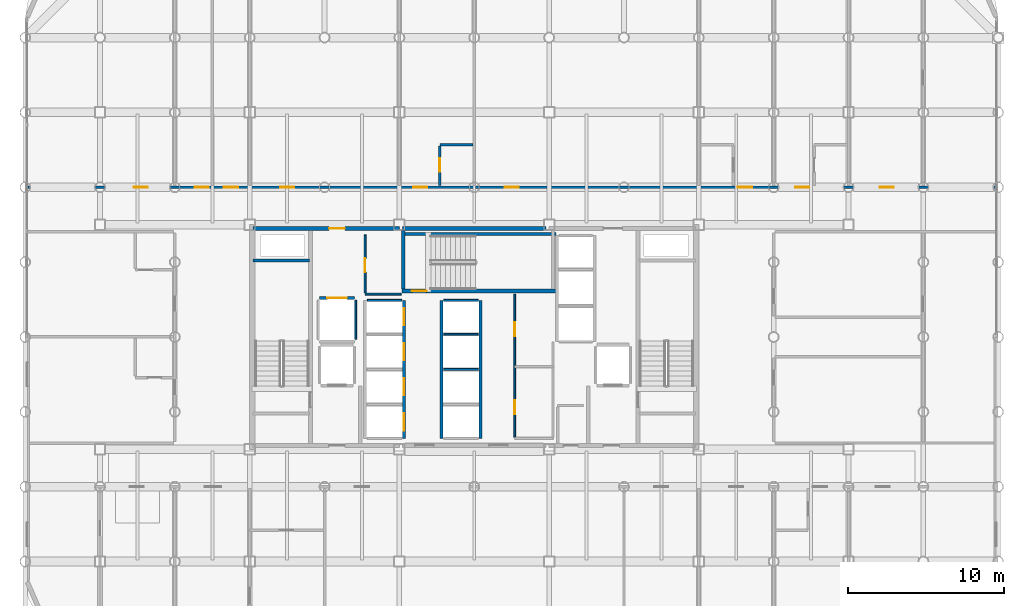
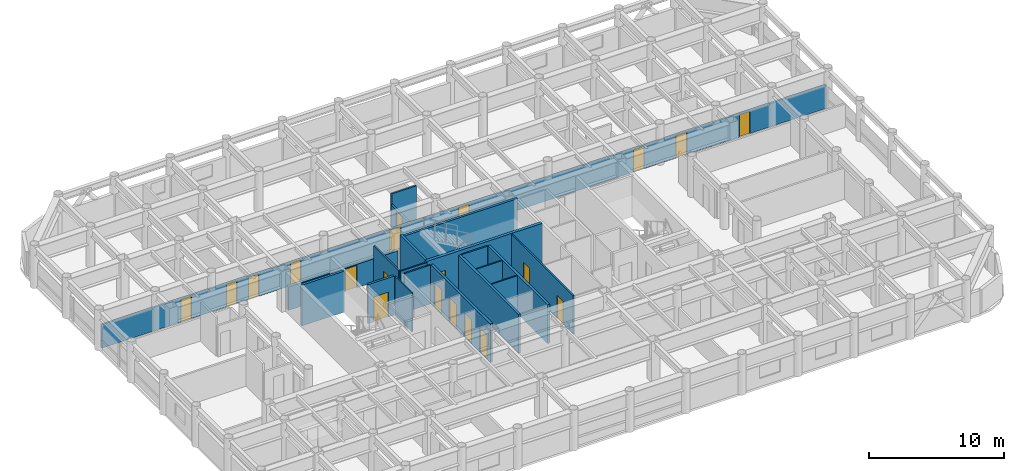
# One storey, part 18 of 22: 21 walls, 20 doors, 20 openings.
"""IFC4 building model written with IfcOpenShell, lengths in metres."""

import ifcopenshell
import ifcopenshell.guid

model = None  # the IFC model being written
_history = None  # IfcOwnerHistory: only IFC2X3 demands one
_inside = {}  # id of a spatial element -> (the spatial element, [elements in it])
_under = {}  # id of a project, library or spatial element -> (it, [spatial elements below it])
_declared = {}  # id of a project -> (the project, [libraries it declares])
_typed = {}  # id of a type object -> (the type object, [elements of that type])
_made_of = {}  # id of a material, layer set ... -> (it, [elements and type objects made of it])


def new_model(schema):
    """Start an empty IFC model of exactly this schema.

    Asked for "IFC4X3", IfcOpenShell would pick the latest addendum, in which some entities
    have other attributes; the version numbers below select the first issue.
    IFC2X3 requires an IfcOwnerHistory on every rooted entity: one is made here for all.
    """
    global model, _history
    if schema == "IFC4X3":
        model = ifcopenshell.file(schema_version=(4, 3, 0, 0))
    else:
        model = ifcopenshell.file(schema=schema)
    _inside.clear()
    _under.clear()
    _declared.clear()
    _typed.clear()
    _made_of.clear()
    _history = None
    if model.schema == "IFC2X3":
        org = make("IfcOrganization", Name="unknown")
        user = make(
            "IfcPersonAndOrganization",
            ThePerson=make("IfcPerson", FamilyName="unknown"),
            TheOrganization=org,
        )
        app = make(
            "IfcApplication",
            ApplicationDeveloper=org,
            Version="unknown",
            ApplicationFullName="unknown",
            ApplicationIdentifier="unknown",
        )
        _history = make(
            "IfcOwnerHistory",
            OwningUser=user,
            OwningApplication=app,
            ChangeAction="ADDED",
            CreationDate=0,
        )
    return model


def make(cls, **values):
    """One entity of the class cls with the attributes given. An attribute that is None is left unset."""
    return model.create_entity(
        cls, **{name: value for name, value in values.items() if value is not None}
    )


def rooted(cls, **values):
    """An entity with a GlobalId (a new one), such as an element, a storey or a relation."""
    return make(cls, GlobalId=ifcopenshell.guid.new(), OwnerHistory=_history, **values)


def si_unit(unit_type, name, prefix=None):
    """IfcSIUnit, for example si_unit("LENGTHUNIT", "METRE", prefix="MILLI")."""
    return make("IfcSIUnit", UnitType=unit_type, Prefix=prefix, Name=name)


def assignment(units):
    """IfcUnitAssignment: the units of a project."""
    return None if units is None else make("IfcUnitAssignment", Units=units)


def point(xyz):
    """IfcCartesianPoint."""
    return None if xyz is None else make("IfcCartesianPoint", Coordinates=xyz)


def direction(xyz):
    """IfcDirection."""
    return None if xyz is None else make("IfcDirection", DirectionRatios=xyz)


def frame(location, z_axis=None, x_axis=None):
    """IfcAxis2Placement3D, a coordinate frame: its origin and axes. An axis left out is left unset."""
    return make(
        "IfcAxis2Placement3D",
        Location=point(location),
        Axis=direction(z_axis),
        RefDirection=direction(x_axis),
    )


def frame_2d(location, x_axis=None):
    """IfcAxis2Placement2D, a coordinate frame in the plane: its origin and x axis."""
    return make(
        "IfcAxis2Placement2D", Location=point(location), RefDirection=direction(x_axis)
    )


def origin():
    """The frame at (0, 0, 0) with its axes left unset."""
    return frame((0.0, 0.0, 0.0))


def place(relative_to, where):
    """IfcLocalPlacement: puts the frame where relative to a parent placement (None: the world)."""
    return make(
        "IfcLocalPlacement", PlacementRelTo=relative_to, RelativePlacement=where
    )


def context(
    kind, dimensions, precision=None, world=None, true_north=None, identifier=None
):
    """IfcGeometricRepresentationContext, for example the 3D "Model" context."""
    return make(
        "IfcGeometricRepresentationContext",
        ContextIdentifier=identifier,
        ContextType=kind,
        CoordinateSpaceDimension=dimensions,
        Precision=precision,
        WorldCoordinateSystem=world,
        TrueNorth=true_north,
    )


def subcontext(parent, identifier, kind, view, scale=None):
    """IfcGeometricRepresentationSubContext, for example "Body" below "Model"."""
    return make(
        "IfcGeometricRepresentationSubContext",
        ContextIdentifier=identifier,
        ContextType=kind,
        ParentContext=parent,
        TargetScale=scale,
        TargetView=view,
    )


def project(units=None, contexts=None):
    """IfcProject with its units and contexts."""
    return rooted(
        "IfcProject",
        Name="project",
        RepresentationContexts=contexts,
        UnitsInContext=assignment(units),
    )


def spatial(cls, under=None, at=None, **own):
    """A site, building, storey or space (cls), placed at a placement, below another one or the project."""
    s = rooted(cls, ObjectPlacement=at, **own)
    if under is not None:
        _under.setdefault(under.id(), (under, []))[1].append(s)
    return s


def profile(cls, at=None, kind="AREA", **sizes):
    """A parametric profile (cls). Its sizes go by their IFC names, for example OverallWidth=200.0."""
    return make(cls, ProfileType=kind, Position=at, **sizes)


def rectangle(**sizes):
    """IfcRectangleProfileDef."""
    return profile("IfcRectangleProfileDef", **sizes)


def extrude(swept, where, along, depth):
    """IfcExtrudedAreaSolid: the profile swept, set in the frame where, extruded along a direction by depth."""
    return make(
        "IfcExtrudedAreaSolid",
        SweptArea=swept,
        Position=where,
        ExtrudedDirection=direction(along),
        Depth=depth,
    )


def shape(context_of_items, identifier, shape_type, items):
    """IfcShapeRepresentation: the items that make up one representation, for example the "Body"."""
    return make(
        "IfcShapeRepresentation",
        ContextOfItems=context_of_items,
        RepresentationIdentifier=identifier,
        RepresentationType=shape_type,
        Items=items,
    )


def material(Name=None, Category=None):
    """IfcMaterial."""
    return make("IfcMaterial", Name=Name, Category=Category)


def layer(
    of_material, thickness, ventilated=None, Name=None, Category=None, Priority=None
):
    """IfcMaterialLayer: one layer of a wall or slab, of a material (None: an air gap)."""
    return make(
        "IfcMaterialLayer",
        Material=of_material,
        LayerThickness=thickness,
        IsVentilated=ventilated,
        Name=Name,
        Category=Category,
        Priority=Priority,
    )


def layer_set(layers, Name=None):
    """IfcMaterialLayerSet."""
    return make("IfcMaterialLayerSet", MaterialLayers=layers, LayerSetName=Name)


def made_of(thing, what):
    """Note that an element or type object is made of a material, layer set ...; save() writes the relation."""
    if what is not None:
        _made_of.setdefault(what.id(), (what, []))[1].append(thing)
    return thing


def type_object(cls, material=None, **own):
    """A type object (cls), such as IfcWallType, which elements share."""
    return made_of(rooted(cls, **own), material)


def element(
    cls,
    number,
    at=None,
    inside=None,
    cuts=None,
    type_object=None,
    material=None,
    context=None,
    identifier="Body",
    shape_type=None,
    held_by="IfcProductDefinitionShape",
    body=None,
    shapes=None,
    **own,
):
    """One element of the class cls, such as IfcWall. Its Tag is "e" and its number.

    at: its placement. inside: the storey or other place that contains it. cuts: it is an
    opening in that element (IfcRelVoidsElement). A single representation is given by context,
    identifier, shape_type and body (its items); several are given by shapes. held_by: the class
    of the entity that holds the representations. save() writes the other relations.
    """
    e = rooted(cls, Tag="e%d" % number, ObjectPlacement=at, **own)
    if body is not None:
        shapes = [shape(context, identifier, shape_type, body)]
    if shapes is not None:
        e.Representation = make(held_by, Representations=shapes)
    if inside is not None:
        _inside.setdefault(inside.id(), (inside, []))[1].append(e)
    if cuts is not None:
        rooted(
            "IfcRelVoidsElement", RelatingBuildingElement=cuts, RelatedOpeningElement=e
        )
    if type_object is not None:
        _typed.setdefault(type_object.id(), (type_object, []))[1].append(e)
    return made_of(e, material)


def fill(opening, filler):
    """IfcRelFillsElement: the door or window that sits in an opening."""
    return rooted(
        "IfcRelFillsElement",
        RelatingOpeningElement=opening,
        RelatedBuildingElement=filler,
    )


def aggregate(whole, parts):
    """IfcRelAggregates: a whole, such as a stair, and the parts it consists of."""
    return rooted("IfcRelAggregates", RelatingObject=whole, RelatedObjects=parts)


def save(model, path):
    """Write the relations noted so far, then the file.

    IfcRelAggregates (storeys below a building ...), IfcRelContainedInSpatialStructure (elements
    in a storey), IfcRelDefinesByType, IfcRelAssociatesMaterial and IfcRelDeclares: one each for
    every whole, place, type object, material and project.
    """
    for whole, parts in _under.values():
        aggregate(whole, parts)
    for where, things in _inside.values():
        rooted(
            "IfcRelContainedInSpatialStructure",
            RelatedElements=things,
            RelatingStructure=where,
        )
    for kind, things in _typed.values():
        rooted("IfcRelDefinesByType", RelatedObjects=things, RelatingType=kind)
    for what, things in _made_of.values():
        rooted("IfcRelAssociatesMaterial", RelatedObjects=things, RelatingMaterial=what)
    for by, libraries in _declared.values():
        rooted("IfcRelDeclares", RelatingContext=by, RelatedDefinitions=libraries)
    model.write(path)


model = new_model("IFC4")

# Units and contexts
model_context = context("Model", 3, precision=1e-05, world=origin(), true_north=direction((0.0, 1.0)))
body_context = subcontext(model_context, "Body", "Model", "MODEL_VIEW")
ifc_project = project(units=[si_unit("LENGTHUNIT", "METRE"), si_unit("AREAUNIT", "SQUARE_METRE"), si_unit("VOLUMEUNIT", "CUBIC_METRE"), si_unit("PLANEANGLEUNIT", "RADIAN"), si_unit("MASSUNIT", "GRAM", prefix="KILO")], contexts=[model_context])

# Site, building, storey
site_placement = place(None, origin())
site = spatial("IfcSite", under=ifc_project, at=site_placement, CompositionType="ELEMENT")
building_placement = place(site_placement, origin())
building = spatial("IfcBuilding", under=site, at=building_placement, Name="Kallvorn Hotel Tower", CompositionType="ELEMENT")
storey_placement = place(building_placement, frame((0.0, 0.0, 95.199951171875)))
storey = spatial("IfcBuildingStorey", under=building, at=storey_placement, Name="L22", CompositionType="ELEMENT", Elevation=95.199951171875)

# Wall, openings, doors
ifc_material_1 = material(Name="Fire-rated double-layer acoustic gypsum drywall EI 60")
ifc_layer_1 = layer(ifc_material_1, 0.159912109375)
ifc_layer_set_1 = layer_set([ifc_layer_1], Name="WL_DEMISE_160")
wall_type_1 = type_object("IfcWallType", Name="WL_DEMISE_160", PredefinedType="PARTITIONING", material=ifc_layer_set_1)
wall_1_placement = place(storey_placement, frame((-28.6298828125, 9.60009765625, 0.0), z_axis=(0.0, 0.0, 1.0), x_axis=(1.0, 0.0, 0.0)))
wall_1 = element("IfcWall", 1, at=wall_1_placement, inside=storey, type_object=wall_type_1, Name="L22 Suite 2205 Standard King Room Partition", PredefinedType="PARTITIONING", context=body_context, shape_type="SweptSolid", body=[
    extrude(rectangle(XDim=62.059814453125, YDim=0.159912109375, at=frame_2d((31.02978515625, 0.0))), origin(), (0.0, 0.0, 1.0), 2.1201171875),
])
opening_1_placement = place(wall_1_placement, frame((6.799560546875, 0.0, 0.0)))
opening_1 = element("IfcOpeningElement", 2, at=opening_1_placement, cuts=wall_1, Name="Opening SVD1A", PredefinedType="OPENING", context=body_context, shape_type="SweptSolid", body=[
    extrude(rectangle(XDim=0.89990234375, YDim=2.02001953125, at=frame_2d((0.449951171875, 1.010009765625))), frame((0.0, 0.094970703125, 0.0), z_axis=(0.0, -1.0, 0.0), x_axis=(1.0, 0.0, 0.0)), (0.0, 0.0, 1.0), 0.18994140625),
])
opening_2_placement = place(wall_1_placement, frame((54.6201171875, 0.0, 0.0)))
opening_2 = element("IfcOpeningElement", 3, at=opening_2_placement, cuts=wall_1, Name="Opening SVD1A", PredefinedType="OPENING", context=body_context, shape_type="SweptSolid", body=[
    extrude(rectangle(XDim=0.89990234375, YDim=2.02001953125, at=frame_2d((0.449951171875, 1.010009765625))), frame((0.0, 0.094970703125, 0.0), z_axis=(0.0, -1.0, 0.0), x_axis=(1.0, 0.0, 0.0)), (0.0, 0.0, 1.0), 0.18994140625),
])
opening_3_placement = place(wall_1_placement, frame((10.68994140625, 0.0, 0.0)))
opening_3 = element("IfcOpeningElement", 4, at=opening_3_placement, cuts=wall_1, Name="Opening SVD1A", PredefinedType="OPENING", context=body_context, shape_type="SweptSolid", body=[
    extrude(rectangle(XDim=0.89990234375, YDim=2.02001953125, at=frame_2d((0.449951171875, 1.010009765625))), frame((0.0, 0.094970703125, 0.0), z_axis=(0.0, -1.0, 0.0), x_axis=(1.0, 0.0, 0.0)), (0.0, 0.0, 1.0), 0.18994140625),
])
opening_4_placement = place(wall_1_placement, frame((12.580078125, 0.0, 0.0)))
opening_4 = element("IfcOpeningElement", 5, at=opening_4_placement, cuts=wall_1, Name="Opening SVD1A", PredefinedType="OPENING", context=body_context, shape_type="SweptSolid", body=[
    extrude(rectangle(XDim=0.89990234375, YDim=2.02001953125, at=frame_2d((0.449951171875, 1.010009765625))), frame((0.0, 0.094970703125, 0.0), z_axis=(0.0, -1.0, 0.0), x_axis=(1.0, 0.0, 0.0)), (0.0, 0.0, 1.0), 0.18994140625),
])
opening_5_placement = place(wall_1_placement, frame((16.179931640625, 0.0, 0.0)))
opening_5 = element("IfcOpeningElement", 6, at=opening_5_placement, cuts=wall_1, Name="Opening SVD1A", PredefinedType="OPENING", context=body_context, shape_type="SweptSolid", body=[
    extrude(rectangle(XDim=0.89990234375, YDim=2.02001953125, at=frame_2d((0.449951171875, 1.010009765625))), frame((0.0, 0.094970703125, 0.0), z_axis=(0.0, -1.0, 0.0), x_axis=(1.0, 0.0, 0.0)), (0.0, 0.0, 1.0), 0.18994140625),
])
opening_6_placement = place(wall_1_placement, frame((24.705078125, 0.0, 0.0)))
opening_6 = element("IfcOpeningElement", 7, at=opening_6_placement, cuts=wall_1, Name="Opening GD1A", PredefinedType="OPENING", context=body_context, shape_type="SweptSolid", body=[
    extrude(rectangle(XDim=0.919921875, YDim=2.02001953125, at=frame_2d((0.4599609375, 1.010009765625))), frame((0.0, 0.094970703125, 0.0), z_axis=(0.0, -1.0, 0.0), x_axis=(1.0, 0.0, 0.0)), (0.0, 0.0, 1.0), 0.18994140625),
])
opening_7_placement = place(wall_1_placement, frame((30.580078125, 0.0, 0.0)))
opening_7 = element("IfcOpeningElement", 8, at=opening_7_placement, cuts=wall_1, Name="Opening SVD1A", PredefinedType="OPENING", context=body_context, shape_type="SweptSolid", body=[
    extrude(rectangle(XDim=0.89990234375, YDim=2.02001953125, at=frame_2d((0.449951171875, 1.010009765625))), frame((0.0, 0.094970703125, 0.0), z_axis=(0.0, -1.0, 0.0), x_axis=(1.0, 0.0, 0.0)), (0.0, 0.0, 1.0), 0.18994140625),
])
opening_8_placement = place(wall_1_placement, frame((45.5400390625, 0.0, 0.0)))
opening_8 = element("IfcOpeningElement", 9, at=opening_8_placement, cuts=wall_1, Name="Opening GD1A", PredefinedType="OPENING", context=body_context, shape_type="SweptSolid", body=[
    extrude(rectangle(XDim=0.919921875, YDim=2.02001953125, at=frame_2d((0.4599609375, 1.010009765625))), frame((0.0, 0.094970703125, 0.0), z_axis=(0.0, -1.0, 0.0), x_axis=(1.0, 0.0, 0.0)), (0.0, 0.0, 1.0), 0.18994140625),
])
opening_9_placement = place(wall_1_placement, frame((49.199951171875, 0.0, 0.0)))
opening_9 = element("IfcOpeningElement", 10, at=opening_9_placement, cuts=wall_1, Name="Opening GD1A", PredefinedType="OPENING", context=body_context, shape_type="SweptSolid", body=[
    extrude(rectangle(XDim=0.919921875, YDim=2.02001953125, at=frame_2d((0.4599609375, 1.010009765625))), frame((0.0, 0.094970703125, 0.0), z_axis=(0.0, -1.0, 0.0), x_axis=(1.0, 0.0, 0.0)), (0.0, 0.0, 1.0), 0.18994140625),
])
ifc_material_2 = material(Name="Solid-core walnut veneer fire-rated timber door leaf", Category="wood")
door_type_1 = type_object("IfcDoorType", Name="DR_GUEST_920x2020", OperationType="NOTDEFINED", PredefinedType="DOOR", material=ifc_material_2)
door_1_placement = place(opening_6_placement, origin())
door_1 = element("IfcDoor", 11, at=door_1_placement, inside=storey, type_object=door_type_1, Name="L22 Suite 2205 Standard King Room Door", OperationType="SINGLE_SWING_RIGHT", OverallHeight=2.02001953125, OverallWidth=0.919921875, PredefinedType="DOOR", context=body_context, shape_type="SweptSolid", body=[
    extrude(rectangle(XDim=0.919921875, YDim=2.02001953125, at=frame_2d((0.4599609375, 1.010009765625))), frame((0.0, 0.02490234375, 0.0), z_axis=(0.0, -1.0, 0.0), x_axis=(1.0, 0.0, 0.0)), (0.0, 0.0, 1.0), 0.050048828125),
])
fill(opening_6, door_1)
door_2_placement = place(opening_8_placement, origin())
door_2 = element("IfcDoor", 12, at=door_2_placement, inside=storey, type_object=door_type_1, Name="L22 Suite 2206 Standard King Room Door", OperationType="SINGLE_SWING_LEFT", OverallHeight=2.02001953125, OverallWidth=0.919921875, PredefinedType="DOOR", context=body_context, shape_type="SweptSolid", body=[
    extrude(rectangle(XDim=0.919921875, YDim=2.02001953125, at=frame_2d((0.4599609375, 1.010009765625))), frame((0.0, 0.02490234375, 0.0), z_axis=(0.0, -1.0, 0.0), x_axis=(1.0, 0.0, 0.0)), (0.0, 0.0, 1.0), 0.050048828125),
])
fill(opening_8, door_2)
door_3_placement = place(opening_9_placement, origin())
door_3 = element("IfcDoor", 13, at=door_3_placement, inside=storey, type_object=door_type_1, Name="L22 Suite 2207 Standard King Room Door", OperationType="SINGLE_SWING_LEFT", OverallHeight=2.02001953125, OverallWidth=0.919921875, PredefinedType="DOOR", context=body_context, shape_type="SweptSolid", body=[
    extrude(rectangle(XDim=0.919921875, YDim=2.02001953125, at=frame_2d((0.4599609375, 1.010009765625))), frame((0.0, 0.02490234375, 0.0), z_axis=(0.0, -1.0, 0.0), x_axis=(1.0, 0.0, 0.0)), (0.0, 0.0, 1.0), 0.050048828125),
])
fill(opening_9, door_3)
ifc_material_3 = material(Name="Galvanised painted steel fire-rated door assembly", Category="steel")
door_type_2 = type_object("IfcDoorType", Name="DR_SERV_900x2020", OperationType="NOTDEFINED", PredefinedType="DOOR", material=ifc_material_3)
door_4_placement = place(opening_1_placement, origin())
door_4 = element("IfcDoor", 14, at=door_4_placement, inside=storey, type_object=door_type_2, Name="L22 L22 North-West Fitness Gymnasium Door", OperationType="SINGLE_SWING_RIGHT", OverallHeight=2.02001953125, OverallWidth=0.89990234375, PredefinedType="DOOR", context=body_context, shape_type="SweptSolid", body=[
    extrude(rectangle(XDim=0.89990234375, YDim=2.02001953125, at=frame_2d((0.449951171875, 1.010009765625))), frame((0.0, 0.02490234375, 0.0), z_axis=(0.0, -1.0, 0.0), x_axis=(1.0, 0.0, 0.0)), (0.0, 0.0, 1.0), 0.050048828125),
])
fill(opening_1, door_4)
door_5_placement = place(opening_2_placement, origin())
door_5 = element("IfcDoor", 15, at=door_5_placement, inside=storey, type_object=door_type_2, Name="L22 L22 North-East Reading Club A Door", OperationType="SINGLE_SWING_RIGHT", OverallHeight=2.02001953125, OverallWidth=0.89990234375, PredefinedType="DOOR", context=body_context, shape_type="SweptSolid", body=[
    extrude(rectangle(XDim=0.89990234375, YDim=2.02001953125, at=frame_2d((0.449951171875, 1.010009765625))), frame((0.0, 0.02490234375, 0.0), z_axis=(0.0, -1.0, 0.0), x_axis=(1.0, 0.0, 0.0)), (0.0, 0.0, 1.0), 0.050048828125),
])
fill(opening_2, door_5)
door_6_placement = place(opening_3_placement, origin())
door_6 = element("IfcDoor", 16, at=door_6_placement, inside=storey, type_object=door_type_2, Name="L22 Housekeeping and Linen Room Door", OperationType="SINGLE_SWING_RIGHT", OverallHeight=2.02001953125, OverallWidth=0.89990234375, PredefinedType="DOOR", context=body_context, shape_type="SweptSolid", body=[
    extrude(rectangle(XDim=0.89990234375, YDim=2.02001953125, at=frame_2d((0.449951171875, 1.010009765625))), frame((0.0, 0.02490234375, 0.0), z_axis=(0.0, -1.0, 0.0), x_axis=(1.0, 0.0, 0.0)), (0.0, 0.0, 1.0), 0.050048828125),
])
fill(opening_3, door_6)
door_7_placement = place(opening_4_placement, origin())
door_7 = element("IfcDoor", 17, at=door_7_placement, inside=storey, type_object=door_type_2, Name="L22 Guest Tea and Refreshment Bar Door", OperationType="SINGLE_SWING_LEFT", OverallHeight=2.02001953125, OverallWidth=0.89990234375, PredefinedType="DOOR", context=body_context, shape_type="SweptSolid", body=[
    extrude(rectangle(XDim=0.89990234375, YDim=2.02001953125, at=frame_2d((0.449951171875, 1.010009765625))), frame((0.0, 0.02490234375, 0.0), z_axis=(0.0, -1.0, 0.0), x_axis=(1.0, 0.0, 0.0)), (0.0, 0.0, 1.0), 0.050048828125),
])
fill(opening_4, door_7)
door_8_placement = place(opening_5_placement, origin())
door_8 = element("IfcDoor", 18, at=door_8_placement, inside=storey, type_object=door_type_2, Name="L22 L22 Curated Emerald Craft Retail Boutique 2 Door", OperationType="SINGLE_SWING_RIGHT", OverallHeight=2.02001953125, OverallWidth=0.89990234375, PredefinedType="DOOR", context=body_context, shape_type="SweptSolid", body=[
    extrude(rectangle(XDim=0.89990234375, YDim=2.02001953125, at=frame_2d((0.449951171875, 1.010009765625))), frame((0.0, 0.02490234375, 0.0), z_axis=(0.0, -1.0, 0.0), x_axis=(1.0, 0.0, 0.0)), (0.0, 0.0, 1.0), 0.050048828125),
])
fill(opening_5, door_8)
door_9_placement = place(opening_7_placement, origin())
door_9 = element("IfcDoor", 19, at=door_9_placement, inside=storey, type_object=door_type_2, Name="L22 L22 Panoramic Club Sky Lounge 4 Door", OperationType="SINGLE_SWING_RIGHT", OverallHeight=2.02001953125, OverallWidth=0.89990234375, PredefinedType="DOOR", context=body_context, shape_type="SweptSolid", body=[
    extrude(rectangle(XDim=0.89990234375, YDim=2.02001953125, at=frame_2d((0.449951171875, 1.010009765625))), frame((0.0, 0.02490234375, 0.0), z_axis=(0.0, -1.0, 0.0), x_axis=(1.0, 0.0, 0.0)), (0.0, 0.0, 1.0), 0.050048828125),
])
fill(opening_7, door_9)

# Wall
wall_2_placement = place(storey_placement, frame((-2.2099609375, 12.320068359375, 0.0), z_axis=(0.0, 0.0, 1.0), x_axis=(1.0, 0.0, 0.0)))
element("IfcWall", 20, at=wall_2_placement, inside=storey, type_object=wall_type_1, Name="L22 Suite 2205 Standard King Room Partition", PredefinedType="PARTITIONING", context=body_context, shape_type="SweptSolid", body=[
    extrude(rectangle(XDim=2.1298828125, YDim=0.159912109375, at=frame_2d((1.06494140625, 0.0))), origin(), (0.0, 0.0, 1.0), 3.070068359375),
])

# Wall, opening, door
wall_3_placement = place(storey_placement, frame((-2.2099609375, 9.719970703125, 0.0), z_axis=(0.0, 0.0, 1.0), x_axis=(0.0, 1.0, 0.0)))
wall_3 = element("IfcWall", 21, at=wall_3_placement, inside=storey, type_object=wall_type_1, Name="L22 Suite 2205 Standard King Room Partition", PredefinedType="PARTITIONING", context=body_context, shape_type="SweptSolid", body=[
    extrude(rectangle(XDim=2.51513671875, YDim=0.159912109375, at=frame_2d((1.257568359375, 0.0))), origin(), (0.0, 0.0, 1.0), 2.1201171875),
])
opening_10_placement = place(wall_3_placement, frame((0.8701171875, 0.0, 0.0)))
opening_10 = element("IfcOpeningElement", 22, at=opening_10_placement, cuts=wall_3, Name="Opening BD-IA", PredefinedType="OPENING", context=body_context, shape_type="SweptSolid", body=[
    extrude(rectangle(XDim=0.860107421875, YDim=2.02001953125, at=frame_2d((0.43017578125, 1.010009765625))), frame((0.0, 0.094970703125, 0.0), z_axis=(0.0, -1.0, 0.0), x_axis=(1.0, 0.0, 0.0)), (0.0, 0.0, 1.0), 0.18994140625),
])
ifc_material_4 = material(Name="Solid-core walnut veneer fire-rated timber door leaf", Category="wood")
door_type_3 = type_object("IfcDoorType", Name="DR_BATH_860x2020", OperationType="NOTDEFINED", PredefinedType="DOOR", material=ifc_material_4)
door_10_placement = place(opening_10_placement, origin())
door_10 = element("IfcDoor", 23, at=door_10_placement, inside=storey, type_object=door_type_3, Name="L22 Suite 2205 En-Suite Bathroom Door", OperationType="SINGLE_SWING_RIGHT", OverallHeight=2.02001953125, OverallWidth=0.860107421875, PredefinedType="DOOR", context=body_context, shape_type="SweptSolid", body=[
    extrude(rectangle(XDim=0.860107421875, YDim=2.02001953125, at=frame_2d((0.43017578125, 1.010009765625))), frame((0.0, 0.02490234375, 0.0), z_axis=(0.0, -1.0, 0.0), x_axis=(1.0, 0.0, 0.0)), (0.0, 0.0, 1.0), 0.050048828125),
])
fill(opening_10, door_10)

# Walls
ifc_material_5 = material(Name="Concrete C40/50", Category="concrete")
ifc_layer_2 = layer(ifc_material_5, 0.199951171875)
ifc_layer_set_2 = layer_set([ifc_layer_2], Name="WL_HOIST_200")
wall_type_2 = type_object("IfcWallType", Name="WL_HOIST_200", PredefinedType="SOLIDWALL", material=ifc_layer_set_2)
wall_4_placement = place(storey_placement, frame((-14.199951171875, 4.89990234375, -0.179931640625), z_axis=(0.0, 0.0, 1.0), x_axis=(1.0, 0.0, 0.0)))
element("IfcWall", 24, at=wall_4_placement, inside=storey, type_object=wall_type_2, Name="L22 Stair ST1 North Wall", PredefinedType="SOLIDWALL", context=body_context, shape_type="SweptSolid", body=[
    extrude(rectangle(XDim=3.64990234375, YDim=0.199951171875, at=frame_2d((1.824951171875, 0.0))), origin(), (0.0, 0.0, 1.0), 3.699951171875),
])
wall_5_placement = place(storey_placement, frame((-4.64990234375, 6.610107421875, -0.179931640625), z_axis=(0.0, 0.0, 1.0), x_axis=(1.0, 0.0, 0.0)))
element("IfcWall", 25, at=wall_5_placement, inside=storey, type_object=wall_type_2, Name="L22 Stair ST3 Shaft North Wall", PredefinedType="SOLIDWALL", context=body_context, shape_type="SweptSolid", body=[
    extrude(rectangle(XDim=9.89990234375, YDim=0.199951171875, at=frame_2d((4.949951171875, 0.0))), origin(), (0.0, 0.0, 1.0), 3.699951171875),
])
wall_6_placement = place(storey_placement, frame((-4.550048828125, 3.080078125, -0.179931640625), z_axis=(0.0, 0.0, 1.0), x_axis=(0.0, 1.0, 0.0)))
element("IfcWall", 26, at=wall_6_placement, inside=storey, type_object=wall_type_2, Name="L22 Stair ST3 West Wall", PredefinedType="SOLIDWALL", context=body_context, shape_type="SweptSolid", body=[
    extrude(rectangle(XDim=3.739990234375, YDim=0.199951171875, at=frame_2d((1.8701171875, 0.0))), origin(), (0.0, 0.0, 1.0), 3.699951171875),
])

# Wall, openings, doors
wall_7_placement = place(storey_placement, frame((-4.5, -6.5, 0.0), z_axis=(0.0, 0.0, 1.0), x_axis=(0.0, 1.0, 0.0)))
wall_7 = element("IfcWall", 27, at=wall_7_placement, inside=storey, type_object=wall_type_2, Name="L22 Lift Bank B1 Landing Wall", PredefinedType="SOLIDWALL", context=body_context, shape_type="SweptSolid", body=[
    extrude(rectangle(XDim=8.85009765625, YDim=0.199951171875, at=frame_2d((4.425048828125, 0.0))), origin(), (0.0, 0.0, 1.0), 3.52001953125),
])
opening_11_placement = place(wall_7_placement, frame((0.5, 0.0, 0.0)))
opening_11 = element("IfcOpeningElement", 28, at=opening_11_placement, cuts=wall_7, Name="Opening LD-PL-01", PredefinedType="OPENING", context=body_context, shape_type="SweptSolid", body=[
    extrude(rectangle(XDim=1.10009765625, YDim=2.199951171875, at=frame_2d((0.550048828125, 1.10009765625))), frame((0.0, 0.114990234375, 0.0), z_axis=(0.0, -1.0, 0.0), x_axis=(1.0, 0.0, 0.0)), (0.0, 0.0, 1.0), 0.22998046875),
])
opening_12_placement = place(wall_7_placement, frame((2.75, 0.0, 0.0)))
opening_12 = element("IfcOpeningElement", 29, at=opening_12_placement, cuts=wall_7, Name="Opening LD-PL-02", PredefinedType="OPENING", context=body_context, shape_type="SweptSolid", body=[
    extrude(rectangle(XDim=1.10009765625, YDim=2.199951171875, at=frame_2d((0.550048828125, 1.10009765625))), frame((0.0, 0.114990234375, 0.0), z_axis=(0.0, -1.0, 0.0), x_axis=(1.0, 0.0, 0.0)), (0.0, 0.0, 1.0), 0.22998046875),
])
opening_13_placement = place(wall_7_placement, frame((5.0, 0.0, 0.0)))
opening_13 = element("IfcOpeningElement", 30, at=opening_13_placement, cuts=wall_7, Name="Opening LD-PL-03", PredefinedType="OPENING", context=body_context, shape_type="SweptSolid", body=[
    extrude(rectangle(XDim=1.10009765625, YDim=2.199951171875, at=frame_2d((0.550048828125, 1.10009765625))), frame((0.0, 0.114990234375, 0.0), z_axis=(0.0, -1.0, 0.0), x_axis=(1.0, 0.0, 0.0)), (0.0, 0.0, 1.0), 0.22998046875),
])
opening_14_placement = place(wall_7_placement, frame((7.25, 0.0, 0.0)))
opening_14 = element("IfcOpeningElement", 31, at=opening_14_placement, cuts=wall_7, Name="Opening LD-PL-04", PredefinedType="OPENING", context=body_context, shape_type="SweptSolid", body=[
    extrude(rectangle(XDim=1.10009765625, YDim=2.199951171875, at=frame_2d((0.550048828125, 1.10009765625))), frame((0.0, 0.114990234375, 0.0), z_axis=(0.0, -1.0, 0.0), x_axis=(1.0, 0.0, 0.0)), (0.0, 0.0, 1.0), 0.22998046875),
])
ifc_material_6 = material(Name="Brushed stainless-steel automatic sliding lift landing door", Category="steel")
door_type_4 = type_object("IfcDoorType", Name="LD_PASS_1100x2200", OperationType="SLIDING_TO_LEFT", PredefinedType="DOOR", material=ifc_material_6)
door_11_placement = place(opening_11_placement, origin())
door_11 = element("IfcDoor", 32, at=door_11_placement, inside=storey, type_object=door_type_4, Name="L22 Lift Landing Sliding Door LD-PL-01", OperationType="SLIDING_TO_LEFT", OverallHeight=2.199951171875, OverallWidth=1.10009765625, PredefinedType="DOOR", context=body_context, shape_type="SweptSolid", body=[
    extrude(rectangle(XDim=1.10009765625, YDim=2.199951171875, at=frame_2d((0.550048828125, 1.10009765625))), frame((0.0, 0.02490234375, 0.0), z_axis=(0.0, -1.0, 0.0), x_axis=(1.0, 0.0, 0.0)), (0.0, 0.0, 1.0), 0.050048828125),
])
fill(opening_11, door_11)
door_12_placement = place(opening_12_placement, origin())
door_12 = element("IfcDoor", 33, at=door_12_placement, inside=storey, type_object=door_type_4, Name="L22 Lift Landing Sliding Door LD-PL-02", OperationType="SLIDING_TO_LEFT", OverallHeight=2.199951171875, OverallWidth=1.10009765625, PredefinedType="DOOR", context=body_context, shape_type="SweptSolid", body=[
    extrude(rectangle(XDim=1.10009765625, YDim=2.199951171875, at=frame_2d((0.550048828125, 1.10009765625))), frame((0.0, 0.02490234375, 0.0), z_axis=(0.0, -1.0, 0.0), x_axis=(1.0, 0.0, 0.0)), (0.0, 0.0, 1.0), 0.050048828125),
])
fill(opening_12, door_12)
door_13_placement = place(opening_13_placement, origin())
door_13 = element("IfcDoor", 34, at=door_13_placement, inside=storey, type_object=door_type_4, Name="L22 Lift Landing Sliding Door LD-PL-03", OperationType="SLIDING_TO_LEFT", OverallHeight=2.199951171875, OverallWidth=1.10009765625, PredefinedType="DOOR", context=body_context, shape_type="SweptSolid", body=[
    extrude(rectangle(XDim=1.10009765625, YDim=2.199951171875, at=frame_2d((0.550048828125, 1.10009765625))), frame((0.0, 0.02490234375, 0.0), z_axis=(0.0, -1.0, 0.0), x_axis=(1.0, 0.0, 0.0)), (0.0, 0.0, 1.0), 0.050048828125),
])
fill(opening_13, door_13)
door_14_placement = place(opening_14_placement, origin())
door_14 = element("IfcDoor", 35, at=door_14_placement, inside=storey, type_object=door_type_4, Name="L22 Lift Landing Sliding Door LD-PL-04", OperationType="SLIDING_TO_LEFT", OverallHeight=2.199951171875, OverallWidth=1.10009765625, PredefinedType="DOOR", context=body_context, shape_type="SweptSolid", body=[
    extrude(rectangle(XDim=1.10009765625, YDim=2.199951171875, at=frame_2d((0.550048828125, 1.10009765625))), frame((0.0, 0.02490234375, 0.0), z_axis=(0.0, -1.0, 0.0), x_axis=(1.0, 0.0, 0.0)), (0.0, 0.0, 1.0), 0.050048828125),
])
fill(opening_14, door_14)

# Walls
for number, where, z_axis, x_axis, name in (
    (36, (-2.10009765625, -6.5, 0.0), (0.0, 0.0, 1.0), (0.0, 1.0, 0.0), "L22 Lift Bank B2 Landing Wall"),
    (37, (0.39990234375, -6.5, 0.0), (0.0, 0.0, 1.0), (0.0, 1.0, 0.0), "L22 Lift Bank B2 Rear Shaft Wall"),
):
    element("IfcWall", number, at=place(storey_placement, frame(where, z_axis=z_axis, x_axis=x_axis)), inside=storey, type_object=wall_type_2, Name=name, PredefinedType="SOLIDWALL", context=body_context, shape_type="SweptSolid", body=[
        extrude(rectangle(XDim=8.85009765625, YDim=0.199951171875, at=frame_2d((4.425048828125, 0.0))), origin(), (0.0, 0.0, 1.0), 3.52001953125),
    ])

# Wall, opening, door
wall_8_placement = place(storey_placement, frame((-9.919921875, 2.5, 0.0), z_axis=(0.0, 0.0, 1.0), x_axis=(1.0, 0.0, 0.0)))
wall_8 = element("IfcWall", 38, at=wall_8_placement, inside=storey, type_object=wall_type_2, Name="L22 SV-01 Landing Wall", PredefinedType="SOLIDWALL", context=body_context, shape_type="SweptSolid", body=[
    extrude(rectangle(XDim=2.239990234375, YDim=0.199951171875, at=frame_2d((1.1201171875, 0.0))), origin(), (0.0, 0.0, 1.0), 3.52001953125),
])
opening_15_placement = place(wall_8_placement, frame((0.4951171875, 0.0, 0.0)))
opening_15 = element("IfcOpeningElement", 39, at=opening_15_placement, cuts=wall_8, Name="Opening LD-SV-01", PredefinedType="OPENING", context=body_context, shape_type="SweptSolid", body=[
    extrude(rectangle(XDim=1.25, YDim=2.25, at=frame_2d((0.625, 1.125))), frame((0.0, 0.114990234375, 0.0), z_axis=(0.0, -1.0, 0.0), x_axis=(1.0, 0.0, 0.0)), (0.0, 0.0, 1.0), 0.22998046875),
])
ifc_material_7 = material(Name="Brushed stainless-steel automatic sliding lift landing door", Category="steel")
door_type_5 = type_object("IfcDoorType", Name="LD_SERV_1250x2250", OperationType="SLIDING_TO_LEFT", PredefinedType="DOOR", material=ifc_material_7)
door_15_placement = place(opening_15_placement, origin())
door_15 = element("IfcDoor", 40, at=door_15_placement, inside=storey, type_object=door_type_5, Name="L22 Lift Landing Sliding Door LD-SV-01", OperationType="SLIDING_TO_LEFT", OverallHeight=2.25, OverallWidth=1.25, PredefinedType="DOOR", context=body_context, shape_type="SweptSolid", body=[
    extrude(rectangle(XDim=1.25, YDim=2.25, at=frame_2d((0.625, 1.125))), frame((0.0, 0.02490234375, 0.0), z_axis=(0.0, -1.0, 0.0), x_axis=(1.0, 0.0, 0.0)), (0.0, 0.0, 1.0), 0.050048828125),
])
fill(opening_15, door_15)

# Walls
ifc_material_8 = material(Name="Fire-rated double-layer acoustic gypsum drywall EI 60")
ifc_layer_3 = layer(ifc_material_8, 0.1201171875)
ifc_layer_set_3 = layer_set([ifc_layer_3], Name="WL_INT_120")
wall_type_3 = type_object("IfcWallType", Name="WL_INT_120", PredefinedType="PARTITIONING", material=ifc_layer_set_3)
wall_9_placement = place(storey_placement, frame((-6.860107421875, 2.35009765625, 0.0), z_axis=(0.0, 0.0, 1.0), x_axis=(1.0, 0.0, 0.0)))
element("IfcWall", 41, at=wall_9_placement, inside=storey, type_object=wall_type_3, Name="L22 PL-04 Hoistway Divider", PredefinedType="PARTITIONING", context=body_context, shape_type="SweptSolid", body=[
    extrude(rectangle(XDim=2.22021484375, YDim=0.1201171875, at=frame_2d((1.110107421875, 0.0))), origin(), (0.0, 0.0, 1.0), 3.52001953125),
])
for number, where, z_axis, x_axis, name in (
    (42, (-1.9599609375, -2.074951171875, 0.0), (0.0, 0.0, 1.0), (1.0, 0.0, 0.0), "L22 PL-06 Hoistway Divider"),
    (43, (-1.9599609375, 0.175048828125, 0.0), (0.0, 0.0, 1.0), (1.0, 0.0, 0.0), "L22 PL-07 Hoistway Divider"),
    (44, (-1.9599609375, 2.35009765625, 0.0), (0.0, 0.0, 1.0), (1.0, 0.0, 0.0), "L22 PL-08 Hoistway Divider"),
):
    element("IfcWall", number, at=place(storey_placement, frame(where, z_axis=z_axis, x_axis=x_axis)), inside=storey, type_object=wall_type_3, Name=name, PredefinedType="PARTITIONING", context=body_context, shape_type="SweptSolid", body=[
        extrude(rectangle(XDim=2.219970703125, YDim=0.1201171875, at=frame_2d((1.10986328125, 0.0))), origin(), (0.0, 0.0, 1.0), 3.52001953125),
    ])
wall_10_placement = place(storey_placement, frame((-7.60009765625, -0.159912109375, 0.0), z_axis=(0.0, 0.0, 1.0), x_axis=(0.0, 1.0, 0.0)))
element("IfcWall", 45, at=wall_10_placement, inside=storey, type_object=wall_type_3, Name="L22 SV-01 East Shaft Wall", PredefinedType="PARTITIONING", context=body_context, shape_type="SweptSolid", body=[
    extrude(rectangle(XDim=2.52001953125, YDim=0.1201171875, at=frame_2d((1.260009765625, 0.0))), origin(), (0.0, 0.0, 1.0), 3.52001953125),
])
wall_11_placement = place(storey_placement, frame((-7.0, 2.75, 0.0), z_axis=(0.0, 0.0, 1.0), x_axis=(1.0, 0.0, 0.0)))
element("IfcWall", 46, at=wall_11_placement, inside=storey, type_object=wall_type_3, Name="L22 Core Cleaners and Janitor Store Partition", PredefinedType="PARTITIONING", context=body_context, shape_type="SweptSolid", body=[
    extrude(rectangle(XDim=2.31005859375, YDim=0.1201171875, at=frame_2d((1.155029296875, 0.0))), origin(), (0.0, 0.0, 1.0), 3.52001953125),
])

# Wall, opening, door
wall_12_placement = place(storey_placement, frame((-7.0, 2.8349609375, 0.0), z_axis=(0.0, 0.0, 1.0), x_axis=(0.0, 1.0, 0.0)))
wall_12 = element("IfcWall", 47, at=wall_12_placement, inside=storey, type_object=wall_type_3, Name="L22 Core Cleaners and Janitor Store Partition", PredefinedType="PARTITIONING", context=body_context, shape_type="SweptSolid", body=[
    extrude(rectangle(XDim=3.715087890625, YDim=0.1201171875, at=frame_2d((1.857421875, 0.0))), origin(), (0.0, 0.0, 1.0), 3.52001953125),
])
opening_16_placement = place(wall_12_placement, frame((1.31494140625, 0.0, 0.0)))
opening_16 = element("IfcOpeningElement", 48, at=opening_16_placement, cuts=wall_12, Name="Opening SVD1", PredefinedType="OPENING", context=body_context, shape_type="SweptSolid", body=[
    extrude(rectangle(XDim=0.89990234375, YDim=2.10009765625, at=frame_2d((0.449951171875, 1.050048828125))), frame((0.0, 0.074951171875, 0.0), z_axis=(0.0, -1.0, 0.0), x_axis=(1.0, 0.0, 0.0)), (0.0, 0.0, 1.0), 0.150146484375),
])
ifc_material_9 = material(Name="Galvanised painted steel fire-rated door assembly", Category="steel")
door_type_6 = type_object("IfcDoorType", Name="DR_SERV_900x2100", OperationType="NOTDEFINED", PredefinedType="DOOR", material=ifc_material_9)
door_16_placement = place(opening_16_placement, origin())
door_16 = element("IfcDoor", 49, at=door_16_placement, inside=storey, type_object=door_type_6, Name="L22 Core Cleaners and Janitor Store Door", OperationType="SINGLE_SWING_RIGHT", OverallHeight=2.10009765625, OverallWidth=0.89990234375, PredefinedType="DOOR", context=body_context, shape_type="SweptSolid", body=[
    extrude(rectangle(XDim=0.89990234375, YDim=2.10009765625, at=frame_2d((0.449951171875, 1.050048828125))), frame((0.0, 0.02490234375, 0.0), z_axis=(0.0, -1.0, 0.0), x_axis=(1.0, 0.0, 0.0)), (0.0, 0.0, 1.0), 0.050048828125),
])
fill(opening_16, door_16)

# Wall, openings, doors
wall_13_placement = place(storey_placement, frame((2.60009765625, -6.4150390625, 0.0), z_axis=(0.0, 0.0, 1.0), x_axis=(0.0, 1.0, 0.0)))
wall_13 = element("IfcWall", 50, at=wall_13_placement, inside=storey, type_object=wall_type_3, Name="L22 East Core Amenities and Minibar Store Partition", PredefinedType="PARTITIONING", context=body_context, shape_type="SweptSolid", body=[
    extrude(rectangle(XDim=9.1650390625, YDim=0.1201171875, at=frame_2d((4.58251953125, 0.0))), origin(), (0.0, 0.0, 1.0), 3.52001953125),
])
opening_17_placement = place(wall_13_placement, frame((1.465087890625, 0.0, 0.0)))
opening_17 = element("IfcOpeningElement", 51, at=opening_17_placement, cuts=wall_13, Name="Opening SVD1", PredefinedType="OPENING", context=body_context, shape_type="SweptSolid", body=[
    extrude(rectangle(XDim=0.89990234375, YDim=2.10009765625, at=frame_2d((0.449951171875, 1.050048828125))), frame((0.0, 0.074951171875, 0.0), z_axis=(0.0, -1.0, 0.0), x_axis=(1.0, 0.0, 0.0)), (0.0, 0.0, 1.0), 0.150146484375),
])
opening_18_placement = place(wall_13_placement, frame((6.465087890625, 0.0, 0.0)))
opening_18 = element("IfcOpeningElement", 52, at=opening_18_placement, cuts=wall_13, Name="Opening SVD1", PredefinedType="OPENING", context=body_context, shape_type="SweptSolid", body=[
    extrude(rectangle(XDim=0.89990234375, YDim=2.10009765625, at=frame_2d((0.449951171875, 1.050048828125))), frame((0.0, 0.074951171875, 0.0), z_axis=(0.0, -1.0, 0.0), x_axis=(1.0, 0.0, 0.0)), (0.0, 0.0, 1.0), 0.150146484375),
])
door_17_placement = place(opening_17_placement, origin())
door_17 = element("IfcDoor", 53, at=door_17_placement, inside=storey, type_object=door_type_6, Name="L22 East Core Amenities and Minibar Store Door", OperationType="SINGLE_SWING_RIGHT", OverallHeight=2.10009765625, OverallWidth=0.89990234375, PredefinedType="DOOR", context=body_context, shape_type="SweptSolid", body=[
    extrude(rectangle(XDim=0.89990234375, YDim=2.10009765625, at=frame_2d((0.449951171875, 1.050048828125))), frame((0.0, 0.02490234375, 0.0), z_axis=(0.0, -1.0, 0.0), x_axis=(1.0, 0.0, 0.0)), (0.0, 0.0, 1.0), 0.050048828125),
])
fill(opening_17, door_17)
door_18_placement = place(opening_18_placement, origin())
door_18 = element("IfcDoor", 54, at=door_18_placement, inside=storey, type_object=door_type_6, Name="L22 East Core Cleaners and Janitor Room Door", OperationType="SINGLE_SWING_RIGHT", OverallHeight=2.10009765625, OverallWidth=0.89990234375, PredefinedType="DOOR", context=body_context, shape_type="SweptSolid", body=[
    extrude(rectangle(XDim=0.89990234375, YDim=2.10009765625, at=frame_2d((0.449951171875, 1.050048828125))), frame((0.0, 0.02490234375, 0.0), z_axis=(0.0, -1.0, 0.0), x_axis=(1.0, 0.0, 0.0)), (0.0, 0.0, 1.0), 0.050048828125),
])
fill(opening_18, door_18)

# Wall, opening, door
ifc_material_10 = material(Name="Concrete C40/50", Category="concrete")
ifc_layer_4 = layer(ifc_material_10, 0.25)
ifc_layer_set_4 = layer_set([ifc_layer_4], Name="WL_SHAFT_250")
wall_type_4 = type_object("IfcWallType", Name="WL_SHAFT_250", PredefinedType="SOLIDWALL", material=ifc_layer_set_4)
wall_14_placement = place(storey_placement, frame((-14.199951171875, 6.949951171875, 0.0), z_axis=(0.0, 0.0, 1.0), x_axis=(1.0, 0.0, 0.0)))
wall_14 = element("IfcWall", 55, at=wall_14_placement, inside=storey, type_object=wall_type_4, Name="L22 Core North-West Wall", PredefinedType="SOLIDWALL", context=body_context, shape_type="SweptSolid", body=[
    extrude(rectangle(XDim=9.39990234375, YDim=0.25, at=frame_2d((4.699951171875, 0.0))), origin(), (0.0, 0.0, 1.0), 2.1201171875),
])
opening_19_placement = place(wall_14_placement, frame((4.89990234375, 0.0, 0.0)))
opening_19 = element("IfcOpeningElement", 56, at=opening_19_placement, cuts=wall_14, Name="Opening FD1A", PredefinedType="OPENING", context=body_context, shape_type="SweptSolid", body=[
    extrude(rectangle(XDim=1.0, YDim=2.02001953125, at=frame_2d((0.5, 1.010009765625))), frame((0.0, 0.139892578125, 0.0), z_axis=(0.0, -1.0, 0.0), x_axis=(1.0, 0.0, 0.0)), (0.0, 0.0, 1.0), 0.280029296875),
])
ifc_material_11 = material(Name="Galvanised painted steel fire-rated door assembly", Category="steel")
door_type_7 = type_object("IfcDoorType", Name="DR_FFL_1000x2020", OperationType="NOTDEFINED", PredefinedType="DOOR", material=ifc_material_11)
door_19_placement = place(opening_19_placement, origin())
door_19 = element("IfcDoor", 57, at=door_19_placement, inside=storey, type_object=door_type_7, Name="L22 Service Lift Lobby Door", OperationType="SINGLE_SWING_LEFT", OverallHeight=2.02001953125, OverallWidth=1.0, PredefinedType="DOOR", context=body_context, shape_type="SweptSolid", body=[
    extrude(rectangle(XDim=1.0, YDim=2.02001953125, at=frame_2d((0.5, 1.010009765625))), frame((0.0, 0.02490234375, 0.0), z_axis=(0.0, -1.0, 0.0), x_axis=(1.0, 0.0, 0.0)), (0.0, 0.0, 1.0), 0.050048828125),
])
fill(opening_19, door_19)

# Wall
wall_15_placement = place(storey_placement, frame((-4.60009765625, 6.949951171875, 0.0), z_axis=(0.0, 0.0, 1.0), x_axis=(1.0, 0.0, 0.0)))
element("IfcWall", 58, at=wall_15_placement, inside=storey, type_object=wall_type_4, Name="L22 Core North-Central Wall", PredefinedType="SOLIDWALL", context=body_context, shape_type="SweptSolid", body=[
    extrude(rectangle(XDim=9.2001953125, YDim=0.25, at=frame_2d((4.60009765625, 0.0))), origin(), (0.0, 0.0, 1.0), 2.1201171875),
])

# Wall, opening, door
wall_16_placement = place(storey_placement, frame((-4.64990234375, 2.949951171875, -0.179931640625), z_axis=(0.0, 0.0, 1.0), x_axis=(1.0, 0.0, 0.0)))
wall_16 = element("IfcWall", 59, at=wall_16_placement, inside=storey, type_object=wall_type_4, Name="L22 Stair ST3 Shaft South Wall", PredefinedType="SOLIDWALL", context=body_context, shape_type="SweptSolid", body=[
    extrude(rectangle(XDim=9.89990234375, YDim=0.25, at=frame_2d((4.949951171875, 0.0))), origin(), (0.0, 0.0, 1.0), 3.699951171875),
])
opening_20_placement = place(wall_16_placement, frame((0.64990234375, 0.0, 0.179931640625)))
opening_20 = element("IfcOpeningElement", 60, at=opening_20_placement, cuts=wall_16, Name="Opening SD1", PredefinedType="OPENING", context=body_context, shape_type="SweptSolid", body=[
    extrude(rectangle(XDim=0.949951171875, YDim=2.14990234375, at=frame_2d((0.47509765625, 1.074951171875))), frame((0.0, 0.139892578125, 0.0), z_axis=(0.0, -1.0, 0.0), x_axis=(1.0, 0.0, 0.0)), (0.0, 0.0, 1.0), 0.280029296875),
])
ifc_material_12 = material(Name="Galvanised painted steel fire-rated door assembly", Category="steel")
door_type_8 = type_object("IfcDoorType", Name="DR_STAIR_950x2150", OperationType="NOTDEFINED", PredefinedType="DOOR", material=ifc_material_12)
door_20_placement = place(opening_20_placement, origin())
door_20 = element("IfcDoor", 61, at=door_20_placement, inside=storey, type_object=door_type_8, Name="L22 Exit Stair ST3 Fire Door", OperationType="SINGLE_SWING_RIGHT", OverallHeight=2.14990234375, OverallWidth=0.949951171875, PredefinedType="DOOR", context=body_context, shape_type="SweptSolid", body=[
    extrude(rectangle(XDim=0.949951171875, YDim=2.14990234375, at=frame_2d((0.47509765625, 1.074951171875))), frame((0.0, 0.02490234375, 0.0), z_axis=(0.0, -1.0, 0.0), x_axis=(1.0, 0.0, 0.0)), (0.0, 0.0, 1.0), 0.050048828125),
])
fill(opening_20, door_20)

save(model, "model.ifc")
